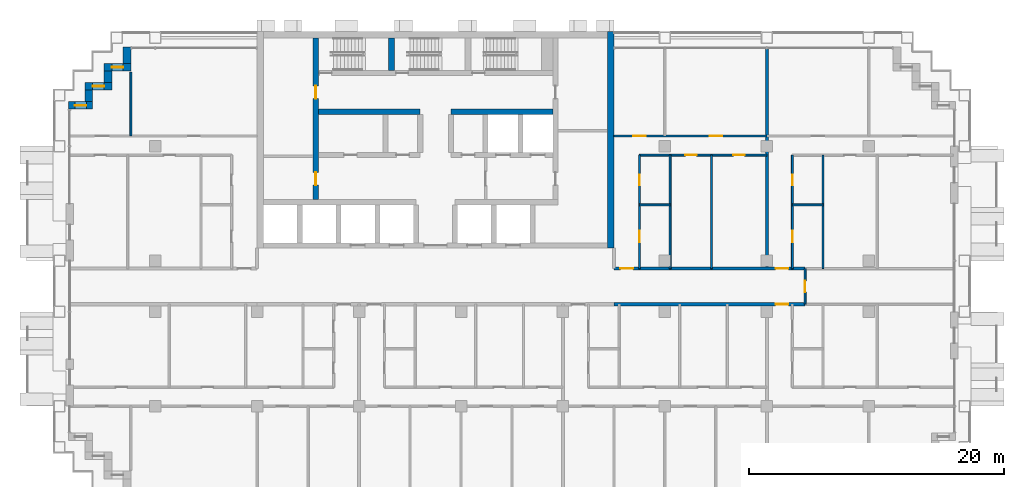
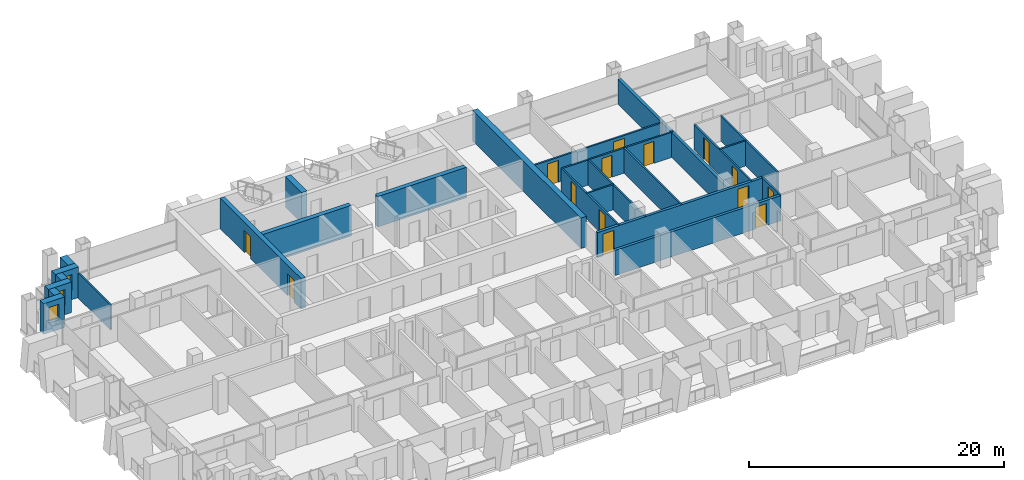
# One storey, part 11 of 17: 25 walls, 14 doors, 3 windows, 17 openings.
"""IFC4 building model written with IfcOpenShell, lengths in metres."""

from ifc_helpers import new_model, si_unit, direction, frame, frame_2d, origin, place, context, subcontext, project, spatial, rectangle, extrude, material, layer, layer_set, type_object, element, fill, save


model = new_model("IFC4")

# Units and contexts
model_context = context("Model", 3, precision=1e-05, world=origin(), true_north=direction((0.0, 1.0)))
body_context = subcontext(model_context, "Body", "Model", "MODEL_VIEW")
ifc_project = project(units=[si_unit("LENGTHUNIT", "METRE"), si_unit("AREAUNIT", "SQUARE_METRE"), si_unit("VOLUMEUNIT", "CUBIC_METRE"), si_unit("PLANEANGLEUNIT", "RADIAN"), si_unit("MASSUNIT", "GRAM", prefix="KILO")], contexts=[model_context])

# Site, building, storey
site_placement = place(None, origin())
site = spatial("IfcSite", under=ifc_project, at=site_placement, CompositionType="ELEMENT")
building_placement = place(site_placement, origin())
building = spatial("IfcBuilding", under=site, at=building_placement, Name="Vidyagriha Tower", CompositionType="ELEMENT")
storey_placement = place(building_placement, frame((0.0, 0.0, 77.5)))
storey = spatial("IfcBuildingStorey", under=building, at=storey_placement, Name="L19", CompositionType="ELEMENT", Elevation=77.5)

# Wall
ifc_material_1 = material(Name="Precast concrete C40/50 with brick facing", Category="concrete")
ifc_layer_1 = layer(ifc_material_1, 0.60009765625)
ifc_layer_set_1 = layer_set([ifc_layer_1], Name="Precast concrete C40/50 with brick facing")
wall_type_1 = type_object("IfcWallType", Name="Brick-faced precast wall 600", PredefinedType="STANDARD", material=ifc_layer_set_1)
wall_1_placement = place(storey_placement, frame((-24.199951171875, 18.780029296875, 0.0), z_axis=(0.0, 0.0, 1.0), x_axis=(0.0, -1.0, 0.0)))
element("IfcWall", 1, at=wall_1_placement, inside=storey, type_object=wall_type_1, Name="Stepped corner wall L19 R10", PredefinedType="STANDARD", context=body_context, shape_type="SweptSolid", body=[
    extrude(rectangle(XDim=1.280029296875, YDim=0.60009765625, at=frame_2d((0.64013671875, 0.0))), origin(), (0.0, 0.0, 1.0), 2.919921875),
])

# Wall, opening, window
wall_2_placement = place(storey_placement, frame((-23.89990234375, 17.199951171875, 0.0), z_axis=(0.0, 0.0, 1.0), x_axis=(-1.0, 0.0, 0.0)))
wall_2 = element("IfcWall", 2, at=wall_2_placement, inside=storey, type_object=wall_type_1, Name="Stepped corner wall L19 R11", PredefinedType="STANDARD", context=body_context, shape_type="SweptSolid", body=[
    extrude(rectangle(XDim=2.10009765625, YDim=0.60009765625, at=frame_2d((1.050048828125, 0.0))), origin(), (0.0, 0.0, 1.0), 2.919921875),
])
opening_1_placement = place(wall_2_placement, frame((0.60009765625, 0.0, 0.89990234375)))
opening_1 = element("IfcOpeningElement", 3, at=opening_1_placement, cuts=wall_2, Name="Opening WN1", PredefinedType="OPENING", context=body_context, shape_type="SweptSolid", body=[
    extrude(rectangle(XDim=0.89990234375, YDim=1.5, at=frame_2d((0.449951171875, 0.75))), frame((0.0, 0.31005859375, 0.0), z_axis=(0.0, -1.0, 0.0), x_axis=(1.0, 0.0, 0.0)), (0.0, 0.0, 1.0), 0.6201171875),
])
ifc_material_2 = material(Name="Aluminium and glass window", Category="aluminium")
window_type = type_object("IfcWindowType", Name="Reveal window 900x1500", PartitioningType="NOTDEFINED", PredefinedType="WINDOW", material=ifc_material_2)
window_1_placement = place(opening_1_placement, origin())
window_1 = element("IfcWindow", 4, at=window_1_placement, inside=storey, type_object=window_type, Name="Reveal window L19 R11", OverallHeight=1.5, OverallWidth=0.89990234375, PartitioningType="SINGLE_PANEL", PredefinedType="WINDOW", context=body_context, shape_type="SweptSolid", body=[
    extrude(rectangle(XDim=0.89990234375, YDim=1.5, at=frame_2d((0.449951171875, 0.75))), frame((0.0, 0.030029296875, 0.0), z_axis=(0.0, -1.0, 0.0), x_axis=(1.0, 0.0, 0.0)), (0.0, 0.0, 1.0), 0.06005859375),
])
fill(opening_1, window_1)

# Wall
wall_3_placement = place(storey_placement, frame((-25.699951171875, 16.89990234375, 0.0), z_axis=(0.0, 0.0, 1.0), x_axis=(0.0, -1.0, 0.0)))
element("IfcWall", 5, at=wall_3_placement, inside=storey, type_object=wall_type_1, Name="Stepped corner wall L19 R12", PredefinedType="STANDARD", context=body_context, shape_type="SweptSolid", body=[
    extrude(rectangle(XDim=0.89990234375, YDim=0.60009765625, at=frame_2d((0.449951171875, 0.0))), origin(), (0.0, 0.0, 1.0), 2.919921875),
])

# Wall, opening, window
wall_4_placement = place(storey_placement, frame((-25.39990234375, 15.699951171875, 0.0), z_axis=(0.0, 0.0, 1.0), x_axis=(-1.0, 0.0, 0.0)))
wall_4 = element("IfcWall", 6, at=wall_4_placement, inside=storey, type_object=wall_type_1, Name="Stepped corner wall L19 R13", PredefinedType="STANDARD", context=body_context, shape_type="SweptSolid", body=[
    extrude(rectangle(XDim=2.10009765625, YDim=0.60009765625, at=frame_2d((1.050048828125, 0.0))), origin(), (0.0, 0.0, 1.0), 2.919921875),
])
opening_2_placement = place(wall_4_placement, frame((0.60009765625, 0.0, 0.89990234375)))
opening_2 = element("IfcOpeningElement", 7, at=opening_2_placement, cuts=wall_4, Name="Opening WN1", PredefinedType="OPENING", context=body_context, shape_type="SweptSolid", body=[
    extrude(rectangle(XDim=0.89990234375, YDim=1.5, at=frame_2d((0.449951171875, 0.75))), frame((0.0, 0.31005859375, 0.0), z_axis=(0.0, -1.0, 0.0), x_axis=(1.0, 0.0, 0.0)), (0.0, 0.0, 1.0), 0.6201171875),
])
window_2_placement = place(opening_2_placement, origin())
window_2 = element("IfcWindow", 8, at=window_2_placement, inside=storey, type_object=window_type, Name="Reveal window L19 R13", OverallHeight=1.5, OverallWidth=0.89990234375, PartitioningType="SINGLE_PANEL", PredefinedType="WINDOW", context=body_context, shape_type="SweptSolid", body=[
    extrude(rectangle(XDim=0.89990234375, YDim=1.5, at=frame_2d((0.449951171875, 0.75))), frame((0.0, 0.030029296875, 0.0), z_axis=(0.0, -1.0, 0.0), x_axis=(1.0, 0.0, 0.0)), (0.0, 0.0, 1.0), 0.06005859375),
])
fill(opening_2, window_2)

# Wall
wall_5_placement = place(storey_placement, frame((-27.199951171875, 15.39990234375, 0.0), z_axis=(0.0, 0.0, 1.0), x_axis=(0.0, -1.0, 0.0)))
element("IfcWall", 9, at=wall_5_placement, inside=storey, type_object=wall_type_1, Name="Stepped corner wall L19 R14", PredefinedType="STANDARD", context=body_context, shape_type="SweptSolid", body=[
    extrude(rectangle(XDim=0.89990234375, YDim=0.60009765625, at=frame_2d((0.449951171875, 0.0))), origin(), (0.0, 0.0, 1.0), 2.919921875),
])

# Wall, opening, window
wall_6_placement = place(storey_placement, frame((-26.89990234375, 14.199951171875, 0.0), z_axis=(0.0, 0.0, 1.0), x_axis=(-1.0, 0.0, 0.0)))
wall_6 = element("IfcWall", 10, at=wall_6_placement, inside=storey, type_object=wall_type_1, Name="Stepped corner wall L19 R15", PredefinedType="STANDARD", context=body_context, shape_type="SweptSolid", body=[
    extrude(rectangle(XDim=1.880126953125, YDim=0.60009765625, at=frame_2d((0.93994140625, 0.0))), origin(), (0.0, 0.0, 1.0), 2.919921875),
])
opening_3_placement = place(wall_6_placement, frame((0.489990234375, 0.0, 0.89990234375)))
opening_3 = element("IfcOpeningElement", 11, at=opening_3_placement, cuts=wall_6, Name="Opening WN1", PredefinedType="OPENING", context=body_context, shape_type="SweptSolid", body=[
    extrude(rectangle(XDim=0.89990234375, YDim=1.5, at=frame_2d((0.449951171875, 0.75))), frame((0.0, 0.31005859375, 0.0), z_axis=(0.0, -1.0, 0.0), x_axis=(1.0, 0.0, 0.0)), (0.0, 0.0, 1.0), 0.6201171875),
])
window_3_placement = place(opening_3_placement, origin())
window_3 = element("IfcWindow", 12, at=window_3_placement, inside=storey, type_object=window_type, Name="Reveal window L19 R15", OverallHeight=1.5, OverallWidth=0.89990234375, PartitioningType="SINGLE_PANEL", PredefinedType="WINDOW", context=body_context, shape_type="SweptSolid", body=[
    extrude(rectangle(XDim=0.89990234375, YDim=1.5, at=frame_2d((0.449951171875, 0.75))), frame((0.0, 0.030029296875, 0.0), z_axis=(0.0, -1.0, 0.0), x_axis=(1.0, 0.0, 0.0)), (0.0, 0.0, 1.0), 0.06005859375),
])
fill(opening_3, window_3)

# Wall, openings, doors
ifc_material_3 = material(Name="Concrete C60/75", Category="concrete")
ifc_layer_2 = layer(ifc_material_3, 0.39990234375)
ifc_layer_set_2 = layer_set([ifc_layer_2], Name="Concrete C60/75")
wall_type_2 = type_object("IfcWallType", Name="Core shear wall 400 mm", PredefinedType="SHEAR", material=ifc_layer_set_2)
wall_7_placement = place(storey_placement, frame((-9.39990234375, 6.800048828125, 0.0), z_axis=(0.0, 0.0, 1.0), x_axis=(0.0, 1.0, 0.0)))
wall_7 = element("IfcWall", 13, at=wall_7_placement, inside=storey, type_object=wall_type_2, Name="Core west spine wall", PredefinedType="SHEAR", context=body_context, shape_type="SweptSolid", body=[
    extrude(rectangle(XDim=12.699951171875, YDim=0.39990234375, at=frame_2d((6.35009765625, 0.0))), origin(), (0.0, 0.0, 1.0), 2.919921875),
])
opening_4_placement = place(wall_7_placement, frame((1.14990234375, 0.0, 0.0)))
opening_4 = element("IfcOpeningElement", 14, at=opening_4_placement, cuts=wall_7, Name="Opening D19-09", PredefinedType="OPENING", context=body_context, shape_type="SweptSolid", body=[
    extrude(rectangle(XDim=1.0, YDim=2.10009765625, at=frame_2d((0.5, 1.050048828125))), frame((0.0, 0.2099609375, 0.0), z_axis=(0.0, -1.0, 0.0), x_axis=(1.0, 0.0, 0.0)), (0.0, 0.0, 1.0), 0.419921875),
])
opening_5_placement = place(wall_7_placement, frame((7.925048828125, 0.0, 0.0)))
opening_5 = element("IfcOpeningElement", 15, at=opening_5_placement, cuts=wall_7, Name="Opening D19-10", PredefinedType="OPENING", context=body_context, shape_type="SweptSolid", body=[
    extrude(rectangle(XDim=1.0, YDim=2.10009765625, at=frame_2d((0.5, 1.050048828125))), frame((0.0, 0.2099609375, 0.0), z_axis=(0.0, -1.0, 0.0), x_axis=(1.0, 0.0, 0.0)), (0.0, 0.0, 1.0), 0.419921875),
])
ifc_material_4 = material(Name="Hollow metal door leaf")
door_type_1 = type_object("IfcDoorType", Name="Core room door 1000 x 2100 mm EI 60", OperationType="NOTDEFINED", PredefinedType="DOOR", material=ifc_material_4)
door_1_placement = place(opening_4_placement, frame((1.0, 0.0, 0.0), z_axis=(0.0, 0.0, 1.0), x_axis=(-1.0, 0.0, 0.0)))
door_1 = element("IfcDoor", 16, at=door_1_placement, inside=storey, type_object=door_type_1, Name="Door Refuse Room 19.W1", OperationType="SINGLE_SWING_RIGHT", OverallHeight=2.10009765625, OverallWidth=1.0, PredefinedType="DOOR", context=body_context, shape_type="SweptSolid", body=[
    extrude(rectangle(XDim=1.0, YDim=2.10009765625, at=frame_2d((0.5, 1.050048828125))), frame((0.0, 0.02490234375, 0.0), z_axis=(0.0, -1.0, 0.0), x_axis=(1.0, 0.0, 0.0)), (0.0, 0.0, 1.0), 0.050048828125),
])
fill(opening_4, door_1)
door_2_placement = place(opening_5_placement, frame((1.0, 0.0, 0.0), z_axis=(0.0, 0.0, 1.0), x_axis=(-1.0, 0.0, 0.0)))
door_2 = element("IfcDoor", 17, at=door_2_placement, inside=storey, type_object=door_type_1, Name="Door Switchgear Room 19.W2", OperationType="SINGLE_SWING_LEFT", OverallHeight=2.10009765625, OverallWidth=1.0, PredefinedType="DOOR", context=body_context, shape_type="SweptSolid", body=[
    extrude(rectangle(XDim=1.0, YDim=2.10009765625, at=frame_2d((0.5, 1.050048828125))), frame((0.0, 0.02490234375, 0.0), z_axis=(0.0, -1.0, 0.0), x_axis=(1.0, 0.0, 0.0)), (0.0, 0.0, 1.0), 0.050048828125),
])
fill(opening_5, door_2)

# Walls
for number, where, name in (
    (18, (-9.199951171875, 13.699951171875, 0.0), "Core row N rear wall"),
    (19, (1.199951171875, 13.699951171875, 0.0), "Core row N rear wall"),
):
    element("IfcWall", number, at=place(storey_placement, frame(where)), inside=storey, type_object=wall_type_2, Name=name, PredefinedType="SHEAR", context=body_context, shape_type="SweptSolid", body=[
        extrude(rectangle(XDim=8.0, YDim=0.39990234375, at=frame_2d((4.0, 0.0))), origin(), (0.0, 0.0, 1.0), 2.919921875),
    ])
ifc_material_5 = material(Name="Concrete C60/75", Category="concrete")
ifc_layer_3 = layer(ifc_material_5, 0.5)
ifc_layer_set_3 = layer_set([ifc_layer_3], Name="Concrete C60/75")
wall_type_3 = type_object("IfcWallType", Name="Core shear wall 500 mm", PredefinedType="SHEAR", material=ifc_layer_set_3)
wall_8_placement = place(storey_placement, frame((13.75, 3.0, 0.0), z_axis=(0.0, 0.0, 1.0), x_axis=(0.0, 1.0, 0.0)))
element("IfcWall", 20, at=wall_8_placement, inside=storey, type_object=wall_type_3, Name="Core east wall", PredefinedType="SHEAR", context=body_context, shape_type="SweptSolid", body=[
    extrude(rectangle(XDim=17.0, YDim=0.5, at=frame_2d((8.5, 0.0))), origin(), (0.0, 0.0, 1.0), 2.919921875),
])
wall_9_placement = place(storey_placement, frame((-3.449951171875, 16.949951171875, 0.0), z_axis=(0.0, 0.0, 1.0), x_axis=(0.0, 1.0, 0.0)))
element("IfcWall", 21, at=wall_9_placement, inside=storey, type_object=wall_type_3, Name="Stair partition wall 1", PredefinedType="SHEAR", context=body_context, shape_type="SweptSolid", body=[
    extrude(rectangle(XDim=2.550048828125, YDim=0.5, at=frame_2d((1.27490234375, 0.0))), origin(), (0.0, 0.0, 1.0), 2.919921875),
])

# Wall, opening, door
ifc_material_6 = material(Name="Fired clay brick masonry", Category="masonry")
ifc_layer_4 = layer(ifc_material_6, 0.25)
ifc_layer_set_4 = layer_set([ifc_layer_4], Name="Fired clay brick masonry")
wall_type_4 = type_object("IfcWallType", Name="Fired clay brick corridor wall 250", PredefinedType="PARTITIONING", material=ifc_layer_set_4)
wall_10_placement = place(storey_placement, frame((29.0, -1.39990234375, 0.0), z_axis=(0.0, 0.0, 1.0), x_axis=(-1.0, 0.0, 0.0)))
wall_10 = element("IfcWall", 22, at=wall_10_placement, inside=storey, type_object=wall_type_4, Name="Wall all-L19-w079", PredefinedType="PARTITIONING", context=body_context, shape_type="SweptSolid", body=[
    extrude(rectangle(XDim=15.0, YDim=0.25, at=frame_2d((7.5, 0.0))), origin(), (0.0, 0.0, 1.0), 2.39990234375),
])
opening_6_placement = place(wall_10_placement, frame((1.31103515625, 0.0, 0.0)))
opening_6 = element("IfcOpeningElement", 23, at=opening_6_placement, cuts=wall_10, Name="Opening D19-49", PredefinedType="OPENING", context=body_context, shape_type="SweptSolid", body=[
    extrude(rectangle(XDim=1.0, YDim=2.10009765625, at=frame_2d((0.5, 1.050048828125))), frame((0.0, 0.135009765625, 0.0), z_axis=(0.0, -1.0, 0.0), x_axis=(1.0, 0.0, 0.0)), (0.0, 0.0, 1.0), 0.27001953125),
])
ifc_material_7 = material(Name="Fire-rated timber door leaf EI 60", Category="wood")
door_type_2 = type_object("IfcDoorType", Name="Flat entrance fire door 1000x2100", OperationType="NOTDEFINED", PredefinedType="DOOR", material=ifc_material_7)
door_3_placement = place(opening_6_placement, origin())
door_3 = element("IfcDoor", 24, at=door_3_placement, inside=storey, type_object=door_type_2, Name="Door D19-49", OperationType="SINGLE_SWING_RIGHT", OverallHeight=2.10009765625, OverallWidth=1.0, PredefinedType="DOOR", context=body_context, shape_type="SweptSolid", body=[
    extrude(rectangle(XDim=1.0, YDim=2.10009765625, at=frame_2d((0.5, 1.050048828125))), frame((0.0, 0.02490234375, 0.0), z_axis=(0.0, -1.0, 0.0), x_axis=(1.0, 0.0, 0.0)), (0.0, 0.0, 1.0), 0.050048828125),
])
fill(opening_6, door_3)

# Wall, openings, doors
wall_11_placement = place(storey_placement, frame((14.0, 1.39990234375, 0.0)))
wall_11 = element("IfcWall", 25, at=wall_11_placement, inside=storey, type_object=wall_type_4, Name="Wall all-L19-w125", PredefinedType="PARTITIONING", context=body_context, shape_type="SweptSolid", body=[
    extrude(rectangle(XDim=15.0, YDim=0.25, at=frame_2d((7.5, 0.0))), origin(), (0.0, 0.0, 1.0), 2.39990234375),
])
opening_7_placement = place(wall_11_placement, frame((0.5, 0.0, 0.0)))
opening_7 = element("IfcOpeningElement", 26, at=opening_7_placement, cuts=wall_11, Name="Opening D19-63", PredefinedType="OPENING", context=body_context, shape_type="SweptSolid", body=[
    extrude(rectangle(XDim=1.0, YDim=2.10009765625, at=frame_2d((0.5, 1.050048828125))), frame((0.0, 0.135009765625, 0.0), z_axis=(0.0, -1.0, 0.0), x_axis=(1.0, 0.0, 0.0)), (0.0, 0.0, 1.0), 0.27001953125),
])
opening_8_placement = place(wall_11_placement, frame((12.68896484375, 0.0, 0.0)))
opening_8 = element("IfcOpeningElement", 27, at=opening_8_placement, cuts=wall_11, Name="Opening D19-70", PredefinedType="OPENING", context=body_context, shape_type="SweptSolid", body=[
    extrude(rectangle(XDim=1.0, YDim=2.10009765625, at=frame_2d((0.5, 1.050048828125))), frame((0.0, 0.135009765625, 0.0), z_axis=(0.0, -1.0, 0.0), x_axis=(1.0, 0.0, 0.0)), (0.0, 0.0, 1.0), 0.27001953125),
])
door_4_placement = place(opening_7_placement, origin())
door_4 = element("IfcDoor", 28, at=door_4_placement, inside=storey, type_object=door_type_2, Name="Door D19-63", OperationType="SINGLE_SWING_LEFT", OverallHeight=2.10009765625, OverallWidth=1.0, PredefinedType="DOOR", context=body_context, shape_type="SweptSolid", body=[
    extrude(rectangle(XDim=1.0, YDim=2.10009765625, at=frame_2d((0.5, 1.050048828125))), frame((0.0, 0.02490234375, 0.0), z_axis=(0.0, -1.0, 0.0), x_axis=(1.0, 0.0, 0.0)), (0.0, 0.0, 1.0), 0.050048828125),
])
fill(opening_7, door_4)
door_5_placement = place(opening_8_placement, origin())
door_5 = element("IfcDoor", 29, at=door_5_placement, inside=storey, type_object=door_type_2, Name="Door D19-70", OperationType="SINGLE_SWING_LEFT", OverallHeight=2.10009765625, OverallWidth=1.0, PredefinedType="DOOR", context=body_context, shape_type="SweptSolid", body=[
    extrude(rectangle(XDim=1.0, YDim=2.10009765625, at=frame_2d((0.5, 1.050048828125))), frame((0.0, 0.02490234375, 0.0), z_axis=(0.0, -1.0, 0.0), x_axis=(1.0, 0.0, 0.0)), (0.0, 0.0, 1.0), 0.050048828125),
])
fill(opening_8, door_5)

# Walls
ifc_material_8 = material(Name="Fired clay brick masonry", Category="masonry")
ifc_layer_5 = layer(ifc_material_8, 0.25)
ifc_layer_set_5 = layer_set([ifc_layer_5], Name="Fired clay brick masonry")
wall_type_5 = type_object("IfcWallType", Name="Fired clay brick demising wall 250", PredefinedType="PARTITIONING", material=ifc_layer_set_5)
wall_12_placement = place(storey_placement, frame((26.0, 18.62109375, 0.0), z_axis=(0.0, 0.0, 1.0), x_axis=(0.0, -1.0, 0.0)))
element("IfcWall", 30, at=wall_12_placement, inside=storey, type_object=wall_type_5, Name="Wall all-L19-w124", PredefinedType="PARTITIONING", context=body_context, shape_type="SweptSolid", body=[
    extrude(rectangle(XDim=17.22119140625, YDim=0.25, at=frame_2d((8.610595703125, 0.0))), origin(), (0.0, 0.0, 1.0), 2.39990234375),
])
ifc_material_9 = material(Name="Gypsum board partition")
ifc_layer_6 = layer(ifc_material_9, 0.14990234375)
ifc_layer_set_6 = layer_set([ifc_layer_6], Name="Gypsum board partition")
wall_type_6 = type_object("IfcWallType", Name="Gypsum board partition 150", PredefinedType="PARTITIONING", material=ifc_layer_set_6)
wall_13_placement = place(storey_placement, frame((-23.89990234375, 16.820068359375, 0.0), z_axis=(0.0, 0.0, 1.0), x_axis=(0.0, -1.0, 0.0)))
element("IfcWall", 31, at=wall_13_placement, inside=storey, type_object=wall_type_6, Name="Wall all-L19-w093", PredefinedType="PARTITIONING", context=body_context, shape_type="SweptSolid", body=[
    extrude(rectangle(XDim=5.02001953125, YDim=0.14990234375, at=frame_2d((2.510009765625, 0.0))), origin(), (0.0, 0.0, 1.0), 2.39990234375),
])
wall_14_placement = place(storey_placement, frame((16.0, 6.39990234375, 0.0)))
element("IfcWall", 32, at=wall_14_placement, inside=storey, type_object=wall_type_6, Name="Wall all-L19-w099", PredefinedType="PARTITIONING", context=body_context, shape_type="SweptSolid", body=[
    extrude(rectangle(XDim=2.39990234375, YDim=0.14990234375, at=frame_2d((1.199951171875, 0.0))), origin(), (0.0, 0.0, 1.0), 2.39990234375),
])
for number, where, z_axis, x_axis, name in (
    (33, (18.39990234375, 10.300048828125, 0.0), (0.0, 0.0, 1.0), (0.0, -1.0, 0.0), "Wall all-L19-w100"),
    (34, (21.64990234375, 10.300048828125, 0.0), (0.0, 0.0, 1.0), (0.0, -1.0, 0.0), "Wall all-L19-w101"),
):
    element("IfcWall", number, at=place(storey_placement, frame(where, z_axis=z_axis, x_axis=x_axis)), inside=storey, type_object=wall_type_6, Name=name, PredefinedType="PARTITIONING", context=body_context, shape_type="SweptSolid", body=[
        extrude(rectangle(XDim=8.900146484375, YDim=0.14990234375, at=frame_2d((4.4501953125, 0.0))), origin(), (0.0, 0.0, 1.0), 2.39990234375),
    ])

# Wall, openings, doors
wall_15_placement = place(storey_placement, frame((26.0, 10.300048828125, 0.0), z_axis=(0.0, 0.0, 1.0), x_axis=(-1.0, 0.0, 0.0)))
wall_15 = element("IfcWall", 35, at=wall_15_placement, inside=storey, type_object=wall_type_6, Name="Wall all-L19-w102", PredefinedType="PARTITIONING", context=body_context, shape_type="SweptSolid", body=[
    extrude(rectangle(XDim=10.0, YDim=0.14990234375, at=frame_2d((5.0, 0.0))), origin(), (0.0, 0.0, 1.0), 2.39990234375),
])
opening_9_placement = place(wall_15_placement, frame((5.52490234375, 0.0, 0.0)))
opening_9 = element("IfcOpeningElement", 36, at=opening_9_placement, cuts=wall_15, Name="Opening D19-59", PredefinedType="OPENING", context=body_context, shape_type="SweptSolid", body=[
    extrude(rectangle(XDim=0.89990234375, YDim=2.10009765625, at=frame_2d((0.449951171875, 1.050048828125))), frame((0.0, 0.0849609375, 0.0), z_axis=(0.0, -1.0, 0.0), x_axis=(1.0, 0.0, 0.0)), (0.0, 0.0, 1.0), 0.169921875),
])
opening_10_placement = place(wall_15_placement, frame((1.72509765625, 0.0, 0.0)))
opening_10 = element("IfcOpeningElement", 37, at=opening_10_placement, cuts=wall_15, Name="Opening D19-60", PredefinedType="OPENING", context=body_context, shape_type="SweptSolid", body=[
    extrude(rectangle(XDim=0.89990234375, YDim=2.10009765625, at=frame_2d((0.449951171875, 1.050048828125))), frame((0.0, 0.0849609375, 0.0), z_axis=(0.0, -1.0, 0.0), x_axis=(1.0, 0.0, 0.0)), (0.0, 0.0, 1.0), 0.169921875),
])
ifc_material_10 = material(Name="Timber door leaf", Category="wood")
door_type_3 = type_object("IfcDoorType", Name="Room door 900x2100", OperationType="NOTDEFINED", PredefinedType="DOOR", material=ifc_material_10)
door_6_placement = place(opening_9_placement, origin())
door_6 = element("IfcDoor", 38, at=door_6_placement, inside=storey, type_object=door_type_3, Name="Door D19-59", OperationType="SINGLE_SWING_RIGHT", OverallHeight=2.10009765625, OverallWidth=0.89990234375, PredefinedType="DOOR", context=body_context, shape_type="SweptSolid", body=[
    extrude(rectangle(XDim=0.89990234375, YDim=2.10009765625, at=frame_2d((0.449951171875, 1.050048828125))), frame((0.0, 0.02490234375, 0.0), z_axis=(0.0, -1.0, 0.0), x_axis=(1.0, 0.0, 0.0)), (0.0, 0.0, 1.0), 0.050048828125),
])
fill(opening_9, door_6)
door_7_placement = place(opening_10_placement, origin())
door_7 = element("IfcDoor", 39, at=door_7_placement, inside=storey, type_object=door_type_3, Name="Door D19-60", OperationType="SINGLE_SWING_RIGHT", OverallHeight=2.10009765625, OverallWidth=0.89990234375, PredefinedType="DOOR", context=body_context, shape_type="SweptSolid", body=[
    extrude(rectangle(XDim=0.89990234375, YDim=2.10009765625, at=frame_2d((0.449951171875, 1.050048828125))), frame((0.0, 0.02490234375, 0.0), z_axis=(0.0, -1.0, 0.0), x_axis=(1.0, 0.0, 0.0)), (0.0, 0.0, 1.0), 0.050048828125),
])
fill(opening_10, door_7)

wall_16_placement = place(storey_placement, frame((14.0, 11.800048828125, 0.0)))
wall_16 = element("IfcWall", 40, at=wall_16_placement, inside=storey, type_object=wall_type_6, Name="Wall all-L19-w105", PredefinedType="PARTITIONING", context=body_context, shape_type="SweptSolid", body=[
    extrude(rectangle(XDim=12.0, YDim=0.14990234375, at=frame_2d((6.0, 0.0))), origin(), (0.0, 0.0, 1.0), 2.39990234375),
])
opening_11_placement = place(wall_16_placement, frame((1.5, 0.0, 0.0)))
opening_11 = element("IfcOpeningElement", 41, at=opening_11_placement, cuts=wall_16, Name="Opening D19-61", PredefinedType="OPENING", context=body_context, shape_type="SweptSolid", body=[
    extrude(rectangle(XDim=1.0, YDim=2.10009765625, at=frame_2d((0.5, 1.050048828125))), frame((0.0, 0.0849609375, 0.0), z_axis=(0.0, -1.0, 0.0), x_axis=(1.0, 0.0, 0.0)), (0.0, 0.0, 1.0), 0.169921875),
])
opening_12_placement = place(wall_16_placement, frame((7.5, 0.0, 0.0)))
opening_12 = element("IfcOpeningElement", 42, at=opening_12_placement, cuts=wall_16, Name="Opening D19-62", PredefinedType="OPENING", context=body_context, shape_type="SweptSolid", body=[
    extrude(rectangle(XDim=1.0, YDim=2.10009765625, at=frame_2d((0.5, 1.050048828125))), frame((0.0, 0.0849609375, 0.0), z_axis=(0.0, -1.0, 0.0), x_axis=(1.0, 0.0, 0.0)), (0.0, 0.0, 1.0), 0.169921875),
])
ifc_material_11 = material(Name="Timber door leaf", Category="wood")
door_type_4 = type_object("IfcDoorType", Name="Room door 1000x2100", OperationType="NOTDEFINED", PredefinedType="DOOR", material=ifc_material_11)
door_8_placement = place(opening_11_placement, origin())
door_8 = element("IfcDoor", 43, at=door_8_placement, inside=storey, type_object=door_type_4, Name="Door D19-61", OperationType="SINGLE_SWING_RIGHT", OverallHeight=2.10009765625, OverallWidth=1.0, PredefinedType="DOOR", context=body_context, shape_type="SweptSolid", body=[
    extrude(rectangle(XDim=1.0, YDim=2.10009765625, at=frame_2d((0.5, 1.050048828125))), frame((0.0, 0.02490234375, 0.0), z_axis=(0.0, -1.0, 0.0), x_axis=(1.0, 0.0, 0.0)), (0.0, 0.0, 1.0), 0.050048828125),
])
fill(opening_11, door_8)
door_9_placement = place(opening_12_placement, origin())
door_9 = element("IfcDoor", 44, at=door_9_placement, inside=storey, type_object=door_type_4, Name="Door D19-62", OperationType="SINGLE_SWING_RIGHT", OverallHeight=2.10009765625, OverallWidth=1.0, PredefinedType="DOOR", context=body_context, shape_type="SweptSolid", body=[
    extrude(rectangle(XDim=1.0, YDim=2.10009765625, at=frame_2d((0.5, 1.050048828125))), frame((0.0, 0.02490234375, 0.0), z_axis=(0.0, -1.0, 0.0), x_axis=(1.0, 0.0, 0.0)), (0.0, 0.0, 1.0), 0.050048828125),
])
fill(opening_12, door_9)

# Walls
wall_17_placement = place(storey_placement, frame((28.0, 6.39990234375, 0.0)))
element("IfcWall", 45, at=wall_17_placement, inside=storey, type_object=wall_type_6, Name="Wall all-L19-w113", PredefinedType="PARTITIONING", context=body_context, shape_type="SweptSolid", body=[
    extrude(rectangle(XDim=2.39990234375, YDim=0.14990234375, at=frame_2d((1.199951171875, 0.0))), origin(), (0.0, 0.0, 1.0), 2.39990234375),
])
wall_18_placement = place(storey_placement, frame((30.39990234375, 10.300048828125, 0.0), z_axis=(0.0, 0.0, 1.0), x_axis=(0.0, -1.0, 0.0)))
element("IfcWall", 46, at=wall_18_placement, inside=storey, type_object=wall_type_6, Name="Wall all-L19-w114", PredefinedType="PARTITIONING", context=body_context, shape_type="SweptSolid", body=[
    extrude(rectangle(XDim=8.900146484375, YDim=0.14990234375, at=frame_2d((4.4501953125, 0.0))), origin(), (0.0, 0.0, 1.0), 2.39990234375),
])

# Wall, opening, door
wall_19_placement = place(storey_placement, frame((29.0, -1.39990234375, 0.0), z_axis=(0.0, 0.0, 1.0), x_axis=(0.0, 1.0, 0.0)))
wall_19 = element("IfcWall", 47, at=wall_19_placement, inside=storey, type_object=wall_type_6, Name="Wall all-L19-w127", PredefinedType="PARTITIONING", context=body_context, shape_type="SweptSolid", body=[
    extrude(rectangle(XDim=2.7998046875, YDim=0.14990234375, at=frame_2d((1.39990234375, 0.0))), origin(), (0.0, 0.0, 1.0), 2.39990234375),
])
opening_13_placement = place(wall_19_placement, frame((0.949951171875, 0.0, 0.0)))
opening_13 = element("IfcOpeningElement", 48, at=opening_13_placement, cuts=wall_19, Name="Opening D19-71", PredefinedType="OPENING", context=body_context, shape_type="SweptSolid", body=[
    extrude(rectangle(XDim=0.89990234375, YDim=2.10009765625, at=frame_2d((0.449951171875, 1.050048828125))), frame((0.0, 0.0849609375, 0.0), z_axis=(0.0, -1.0, 0.0), x_axis=(1.0, 0.0, 0.0)), (0.0, 0.0, 1.0), 0.169921875),
])
door_10_placement = place(opening_13_placement, origin())
door_10 = element("IfcDoor", 49, at=door_10_placement, inside=storey, type_object=door_type_3, Name="Door D19-71", OperationType="SINGLE_SWING_RIGHT", OverallHeight=2.10009765625, OverallWidth=0.89990234375, PredefinedType="DOOR", context=body_context, shape_type="SweptSolid", body=[
    extrude(rectangle(XDim=0.89990234375, YDim=2.10009765625, at=frame_2d((0.449951171875, 1.050048828125))), frame((0.0, 0.02490234375, 0.0), z_axis=(0.0, -1.0, 0.0), x_axis=(1.0, 0.0, 0.0)), (0.0, 0.0, 1.0), 0.050048828125),
])
fill(opening_13, door_10)

# Wall, openings, doors
ifc_material_12 = material(Name="Moisture resistant gypsum board partition")
ifc_layer_7 = layer(ifc_material_12, 0.14990234375)
ifc_layer_set_7 = layer_set([ifc_layer_7], Name="Moisture resistant gypsum board partition")
wall_type_7 = type_object("IfcWallType", Name="Gypsum board wet-area partition 150", PredefinedType="PARTITIONING", material=ifc_layer_set_7)
wall_20_placement = place(storey_placement, frame((16.0, 10.300048828125, 0.0), z_axis=(0.0, 0.0, 1.0), x_axis=(0.0, -1.0, 0.0)))
wall_20 = element("IfcWall", 50, at=wall_20_placement, inside=storey, type_object=wall_type_7, Name="Wall all-L19-w096", PredefinedType="PARTITIONING", context=body_context, shape_type="SweptSolid", body=[
    extrude(rectangle(XDim=8.900146484375, YDim=0.14990234375, at=frame_2d((4.4501953125, 0.0))), origin(), (0.0, 0.0, 1.0), 2.39990234375),
])
opening_14_placement = place(wall_20_placement, frame((5.949951171875, 0.0, 0.0)))
opening_14 = element("IfcOpeningElement", 51, at=opening_14_placement, cuts=wall_20, Name="Opening D19-57", PredefinedType="OPENING", context=body_context, shape_type="SweptSolid", body=[
    extrude(rectangle(XDim=0.89990234375, YDim=2.10009765625, at=frame_2d((0.449951171875, 1.050048828125))), frame((0.0, 0.0849609375, 0.0), z_axis=(0.0, -1.0, 0.0), x_axis=(1.0, 0.0, 0.0)), (0.0, 0.0, 1.0), 0.169921875),
])
opening_15_placement = place(wall_20_placement, frame((1.550048828125, 0.0, 0.0)))
opening_15 = element("IfcOpeningElement", 52, at=opening_15_placement, cuts=wall_20, Name="Opening D19-58", PredefinedType="OPENING", context=body_context, shape_type="SweptSolid", body=[
    extrude(rectangle(XDim=0.800048828125, YDim=2.10009765625, at=frame_2d((0.39990234375, 1.050048828125))), frame((0.0, 0.0849609375, 0.0), z_axis=(0.0, -1.0, 0.0), x_axis=(1.0, 0.0, 0.0)), (0.0, 0.0, 1.0), 0.169921875),
])
ifc_material_13 = material(Name="Timber door leaf", Category="wood")
door_type_5 = type_object("IfcDoorType", Name="Bathroom door 800x2100", OperationType="NOTDEFINED", PredefinedType="DOOR", material=ifc_material_13)
door_11_placement = place(opening_15_placement, origin())
door_11 = element("IfcDoor", 53, at=door_11_placement, inside=storey, type_object=door_type_5, Name="Door D19-58", OperationType="SINGLE_SWING_RIGHT", OverallHeight=2.10009765625, OverallWidth=0.800048828125, PredefinedType="DOOR", context=body_context, shape_type="SweptSolid", body=[
    extrude(rectangle(XDim=0.800048828125, YDim=2.10009765625, at=frame_2d((0.39990234375, 1.050048828125))), frame((0.0, 0.02490234375, 0.0), z_axis=(0.0, -1.0, 0.0), x_axis=(1.0, 0.0, 0.0)), (0.0, 0.0, 1.0), 0.050048828125),
])
fill(opening_15, door_11)
ifc_material_14 = material(Name="Timber door leaf", Category="wood")
door_type_6 = type_object("IfcDoorType", Name="Kitchen door 900x2100", OperationType="NOTDEFINED", PredefinedType="DOOR", material=ifc_material_14)
door_12_placement = place(opening_14_placement, origin())
door_12 = element("IfcDoor", 54, at=door_12_placement, inside=storey, type_object=door_type_6, Name="Door D19-57", OperationType="SINGLE_SWING_LEFT", OverallHeight=2.10009765625, OverallWidth=0.89990234375, PredefinedType="DOOR", context=body_context, shape_type="SweptSolid", body=[
    extrude(rectangle(XDim=0.89990234375, YDim=2.10009765625, at=frame_2d((0.449951171875, 1.050048828125))), frame((0.0, 0.02490234375, 0.0), z_axis=(0.0, -1.0, 0.0), x_axis=(1.0, 0.0, 0.0)), (0.0, 0.0, 1.0), 0.050048828125),
])
fill(opening_14, door_12)

wall_21_placement = place(storey_placement, frame((28.0, 10.300048828125, 0.0), z_axis=(0.0, 0.0, 1.0), x_axis=(0.0, -1.0, 0.0)))
wall_21 = element("IfcWall", 55, at=wall_21_placement, inside=storey, type_object=wall_type_7, Name="Wall all-L19-w110", PredefinedType="PARTITIONING", context=body_context, shape_type="SweptSolid", body=[
    extrude(rectangle(XDim=8.900146484375, YDim=0.14990234375, at=frame_2d((4.4501953125, 0.0))), origin(), (0.0, 0.0, 1.0), 2.39990234375),
])
opening_16_placement = place(wall_21_placement, frame((5.949951171875, 0.0, 0.0)))
opening_16 = element("IfcOpeningElement", 56, at=opening_16_placement, cuts=wall_21, Name="Opening D19-64", PredefinedType="OPENING", context=body_context, shape_type="SweptSolid", body=[
    extrude(rectangle(XDim=0.89990234375, YDim=2.10009765625, at=frame_2d((0.449951171875, 1.050048828125))), frame((0.0, 0.0849609375, 0.0), z_axis=(0.0, -1.0, 0.0), x_axis=(1.0, 0.0, 0.0)), (0.0, 0.0, 1.0), 0.169921875),
])
opening_17_placement = place(wall_21_placement, frame((1.550048828125, 0.0, 0.0)))
opening_17 = element("IfcOpeningElement", 57, at=opening_17_placement, cuts=wall_21, Name="Opening D19-65", PredefinedType="OPENING", context=body_context, shape_type="SweptSolid", body=[
    extrude(rectangle(XDim=0.800048828125, YDim=2.10009765625, at=frame_2d((0.39990234375, 1.050048828125))), frame((0.0, 0.0849609375, 0.0), z_axis=(0.0, -1.0, 0.0), x_axis=(1.0, 0.0, 0.0)), (0.0, 0.0, 1.0), 0.169921875),
])
door_13_placement = place(opening_17_placement, origin())
door_13 = element("IfcDoor", 58, at=door_13_placement, inside=storey, type_object=door_type_5, Name="Door D19-65", OperationType="SINGLE_SWING_RIGHT", OverallHeight=2.10009765625, OverallWidth=0.800048828125, PredefinedType="DOOR", context=body_context, shape_type="SweptSolid", body=[
    extrude(rectangle(XDim=0.800048828125, YDim=2.10009765625, at=frame_2d((0.39990234375, 1.050048828125))), frame((0.0, 0.02490234375, 0.0), z_axis=(0.0, -1.0, 0.0), x_axis=(1.0, 0.0, 0.0)), (0.0, 0.0, 1.0), 0.050048828125),
])
fill(opening_17, door_13)
door_14_placement = place(opening_16_placement, origin())
door_14 = element("IfcDoor", 59, at=door_14_placement, inside=storey, type_object=door_type_6, Name="Door D19-64", OperationType="SINGLE_SWING_LEFT", OverallHeight=2.10009765625, OverallWidth=0.89990234375, PredefinedType="DOOR", context=body_context, shape_type="SweptSolid", body=[
    extrude(rectangle(XDim=0.89990234375, YDim=2.10009765625, at=frame_2d((0.449951171875, 1.050048828125))), frame((0.0, 0.02490234375, 0.0), z_axis=(0.0, -1.0, 0.0), x_axis=(1.0, 0.0, 0.0)), (0.0, 0.0, 1.0), 0.050048828125),
])
fill(opening_16, door_14)

save(model, "model.ifc")
